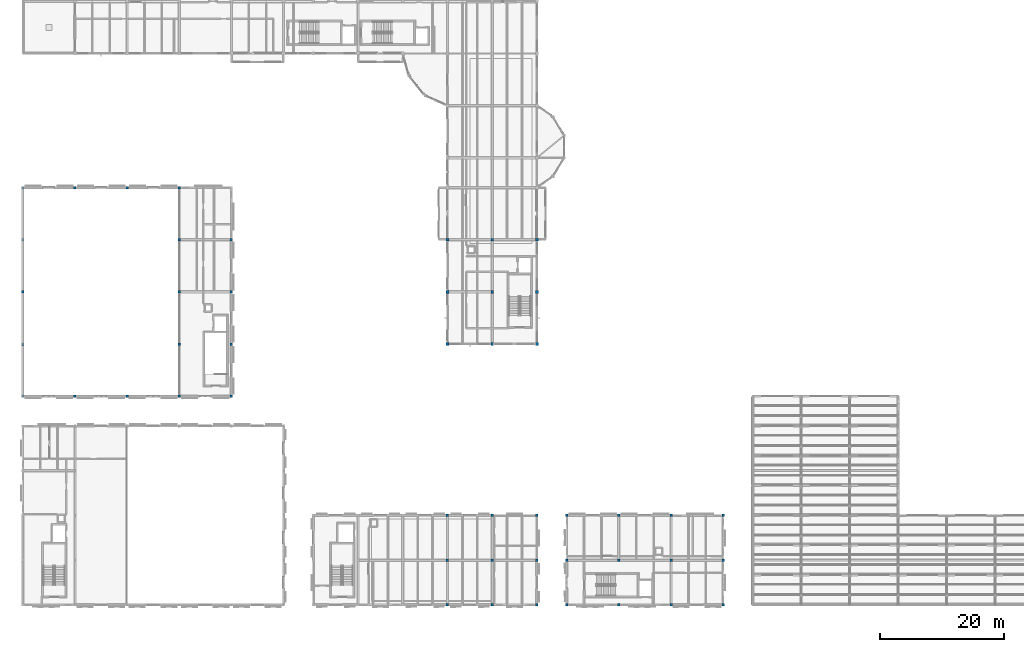
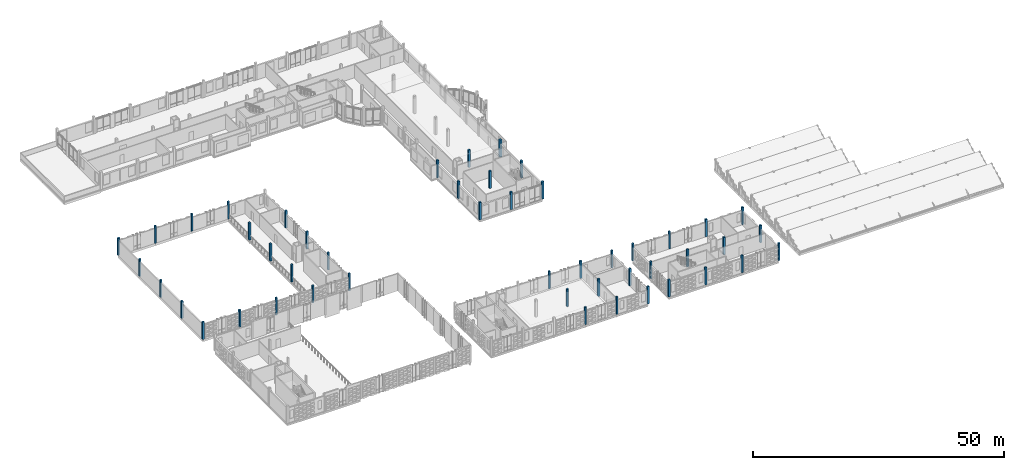
# One storey, part 3 of 81: 48 columns.
"""IFC4 building model written with IfcOpenShell, lengths in metres."""

import ifcopenshell
import ifcopenshell.guid

model = None  # the IFC model being written
_history = None  # IfcOwnerHistory: only IFC2X3 demands one
_inside = {}  # id of a spatial element -> (the spatial element, [elements in it])
_under = {}  # id of a project, library or spatial element -> (it, [spatial elements below it])
_declared = {}  # id of a project -> (the project, [libraries it declares])
_typed = {}  # id of a type object -> (the type object, [elements of that type])
_made_of = {}  # id of a material, layer set ... -> (it, [elements and type objects made of it])


def new_model(schema):
    """Start an empty IFC model of exactly this schema.

    Asked for "IFC4X3", IfcOpenShell would pick the latest addendum, in which some entities
    have other attributes; the version numbers below select the first issue.
    IFC2X3 requires an IfcOwnerHistory on every rooted entity: one is made here for all.
    """
    global model, _history
    if schema == "IFC4X3":
        model = ifcopenshell.file(schema_version=(4, 3, 0, 0))
    else:
        model = ifcopenshell.file(schema=schema)
    _inside.clear()
    _under.clear()
    _declared.clear()
    _typed.clear()
    _made_of.clear()
    _history = None
    if model.schema == "IFC2X3":
        org = make("IfcOrganization", Name="unknown")
        user = make(
            "IfcPersonAndOrganization",
            ThePerson=make("IfcPerson", FamilyName="unknown"),
            TheOrganization=org,
        )
        app = make(
            "IfcApplication",
            ApplicationDeveloper=org,
            Version="unknown",
            ApplicationFullName="unknown",
            ApplicationIdentifier="unknown",
        )
        _history = make(
            "IfcOwnerHistory",
            OwningUser=user,
            OwningApplication=app,
            ChangeAction="ADDED",
            CreationDate=0,
        )
    return model


def make(cls, **values):
    """One entity of the class cls with the attributes given. An attribute that is None is left unset."""
    return model.create_entity(
        cls, **{name: value for name, value in values.items() if value is not None}
    )


def rooted(cls, **values):
    """An entity with a GlobalId (a new one), such as an element, a storey or a relation."""
    return make(cls, GlobalId=ifcopenshell.guid.new(), OwnerHistory=_history, **values)


def si_unit(unit_type, name, prefix=None):
    """IfcSIUnit, for example si_unit("LENGTHUNIT", "METRE", prefix="MILLI")."""
    return make("IfcSIUnit", UnitType=unit_type, Prefix=prefix, Name=name)


def assignment(units):
    """IfcUnitAssignment: the units of a project."""
    return None if units is None else make("IfcUnitAssignment", Units=units)


def point(xyz):
    """IfcCartesianPoint."""
    return None if xyz is None else make("IfcCartesianPoint", Coordinates=xyz)


def direction(xyz):
    """IfcDirection."""
    return None if xyz is None else make("IfcDirection", DirectionRatios=xyz)


def frame(location, z_axis=None, x_axis=None):
    """IfcAxis2Placement3D, a coordinate frame: its origin and axes. An axis left out is left unset."""
    return make(
        "IfcAxis2Placement3D",
        Location=point(location),
        Axis=direction(z_axis),
        RefDirection=direction(x_axis),
    )


def frame_2d(location, x_axis=None):
    """IfcAxis2Placement2D, a coordinate frame in the plane: its origin and x axis."""
    return make(
        "IfcAxis2Placement2D", Location=point(location), RefDirection=direction(x_axis)
    )


def origin():
    """The frame at (0, 0, 0) with its axes left unset."""
    return frame((0.0, 0.0, 0.0))


def origin_2d():
    """The frame at (0, 0) in the plane with its x axis left unset."""
    return frame_2d((0.0, 0.0))


def place(relative_to, where):
    """IfcLocalPlacement: puts the frame where relative to a parent placement (None: the world)."""
    return make(
        "IfcLocalPlacement", PlacementRelTo=relative_to, RelativePlacement=where
    )


def context(
    kind, dimensions, precision=None, world=None, true_north=None, identifier=None
):
    """IfcGeometricRepresentationContext, for example the 3D "Model" context."""
    return make(
        "IfcGeometricRepresentationContext",
        ContextIdentifier=identifier,
        ContextType=kind,
        CoordinateSpaceDimension=dimensions,
        Precision=precision,
        WorldCoordinateSystem=world,
        TrueNorth=true_north,
    )


def subcontext(parent, identifier, kind, view, scale=None):
    """IfcGeometricRepresentationSubContext, for example "Body" below "Model"."""
    return make(
        "IfcGeometricRepresentationSubContext",
        ContextIdentifier=identifier,
        ContextType=kind,
        ParentContext=parent,
        TargetScale=scale,
        TargetView=view,
    )


def project(units=None, contexts=None):
    """IfcProject with its units and contexts."""
    return rooted(
        "IfcProject",
        Name="project",
        RepresentationContexts=contexts,
        UnitsInContext=assignment(units),
    )


def spatial(cls, under=None, at=None, **own):
    """A site, building, storey or space (cls), placed at a placement, below another one or the project."""
    s = rooted(cls, ObjectPlacement=at, **own)
    if under is not None:
        _under.setdefault(under.id(), (under, []))[1].append(s)
    return s


def profile(cls, at=None, kind="AREA", **sizes):
    """A parametric profile (cls). Its sizes go by their IFC names, for example OverallWidth=200.0."""
    return make(cls, ProfileType=kind, Position=at, **sizes)


def rectangle(**sizes):
    """IfcRectangleProfileDef."""
    return profile("IfcRectangleProfileDef", **sizes)


def extrude(swept, where, along, depth):
    """IfcExtrudedAreaSolid: the profile swept, set in the frame where, extruded along a direction by depth."""
    return make(
        "IfcExtrudedAreaSolid",
        SweptArea=swept,
        Position=where,
        ExtrudedDirection=direction(along),
        Depth=depth,
    )


def shape(context_of_items, identifier, shape_type, items):
    """IfcShapeRepresentation: the items that make up one representation, for example the "Body"."""
    return make(
        "IfcShapeRepresentation",
        ContextOfItems=context_of_items,
        RepresentationIdentifier=identifier,
        RepresentationType=shape_type,
        Items=items,
    )


def material(Name=None, Category=None):
    """IfcMaterial."""
    return make("IfcMaterial", Name=Name, Category=Category)


def material_profile(
    of_material, cross_section, Name=None, Category=None, Priority=None
):
    """IfcMaterialProfile: a cross section and its material."""
    return make(
        "IfcMaterialProfile",
        Name=Name,
        Material=of_material,
        Profile=cross_section,
        Priority=Priority,
        Category=Category,
    )


def profile_set(profiles, Name=None, composite=None):
    """IfcMaterialProfileSet."""
    return make(
        "IfcMaterialProfileSet",
        Name=Name,
        MaterialProfiles=profiles,
        CompositeProfile=composite,
    )


def made_of(thing, what):
    """Note that an element or type object is made of a material, layer set ...; save() writes the relation."""
    if what is not None:
        _made_of.setdefault(what.id(), (what, []))[1].append(thing)
    return thing


def type_object(cls, material=None, **own):
    """A type object (cls), such as IfcWallType, which elements share."""
    return made_of(rooted(cls, **own), material)


def element(
    cls,
    number,
    at=None,
    inside=None,
    cuts=None,
    type_object=None,
    material=None,
    context=None,
    identifier="Body",
    shape_type=None,
    held_by="IfcProductDefinitionShape",
    body=None,
    shapes=None,
    **own,
):
    """One element of the class cls, such as IfcWall. Its Tag is "e" and its number.

    at: its placement. inside: the storey or other place that contains it. cuts: it is an
    opening in that element (IfcRelVoidsElement). A single representation is given by context,
    identifier, shape_type and body (its items); several are given by shapes. held_by: the class
    of the entity that holds the representations. save() writes the other relations.
    """
    e = rooted(cls, Tag="e%d" % number, ObjectPlacement=at, **own)
    if body is not None:
        shapes = [shape(context, identifier, shape_type, body)]
    if shapes is not None:
        e.Representation = make(held_by, Representations=shapes)
    if inside is not None:
        _inside.setdefault(inside.id(), (inside, []))[1].append(e)
    if cuts is not None:
        rooted(
            "IfcRelVoidsElement", RelatingBuildingElement=cuts, RelatedOpeningElement=e
        )
    if type_object is not None:
        _typed.setdefault(type_object.id(), (type_object, []))[1].append(e)
    return made_of(e, material)


def aggregate(whole, parts):
    """IfcRelAggregates: a whole, such as a stair, and the parts it consists of."""
    return rooted("IfcRelAggregates", RelatingObject=whole, RelatedObjects=parts)


def save(model, path):
    """Write the relations noted so far, then the file.

    IfcRelAggregates (storeys below a building ...), IfcRelContainedInSpatialStructure (elements
    in a storey), IfcRelDefinesByType, IfcRelAssociatesMaterial and IfcRelDeclares: one each for
    every whole, place, type object, material and project.
    """
    for whole, parts in _under.values():
        aggregate(whole, parts)
    for where, things in _inside.values():
        rooted(
            "IfcRelContainedInSpatialStructure",
            RelatedElements=things,
            RelatingStructure=where,
        )
    for kind, things in _typed.values():
        rooted("IfcRelDefinesByType", RelatedObjects=things, RelatingType=kind)
    for what, things in _made_of.values():
        rooted("IfcRelAssociatesMaterial", RelatedObjects=things, RelatingMaterial=what)
    for by, libraries in _declared.values():
        rooted("IfcRelDeclares", RelatingContext=by, RelatedDefinitions=libraries)
    model.write(path)


model = new_model("IFC4")

# Units and contexts
model_context = context("Model", 3, precision=1e-05, world=origin(), true_north=direction((0.0, 1.0)))
body_context = subcontext(model_context, "Body", "Model", "MODEL_VIEW")
ifc_project = project(units=[si_unit("LENGTHUNIT", "METRE"), si_unit("AREAUNIT", "SQUARE_METRE"), si_unit("VOLUMEUNIT", "CUBIC_METRE"), si_unit("PLANEANGLEUNIT", "RADIAN"), si_unit("MASSUNIT", "GRAM", prefix="KILO")], contexts=[model_context])

# Site, building, storey
site_placement = place(None, origin())
site = spatial("IfcSite", under=ifc_project, at=site_placement, CompositionType="ELEMENT")
building_placement = place(site_placement, origin())
building = spatial("IfcBuilding", under=site, at=building_placement, Name="Kahlenmark Community Centre", CompositionType="ELEMENT")
storey_placement = place(building_placement, frame((0.0, 0.0, 9.60009765625)))
storey = spatial("IfcBuildingStorey", under=building, at=storey_placement, Name="L02", CompositionType="ELEMENT", Elevation=9.60009765625)

# Columns
ifc_material = material(Name="Glulam GL32h", Category="wood")
ifc_material_profile_1 = material_profile(ifc_material, rectangle(XDim=0.39990234375, YDim=0.39990234375, at=origin_2d()), Name="GL32h 400x400")
ifc_profile_set_1 = profile_set([ifc_material_profile_1], Name="Glulam GL32h")
column_type_1 = type_object("IfcColumnType", Name="CT-GL400", PredefinedType="COLUMN", material=ifc_profile_set_1)
for number, where, z_axis, x_axis, name in (
    (1, (4.0, 42.39990234375, 0.0), (0.0, 0.0, 1.0), (1.0, 0.0, 0.0), "L02 column (4.0, 42.4)"),
    (2, (4.0, 50.800048828125, 0.0), (0.0, 0.0, 1.0), (1.0, 0.0, 0.0), "L02 column (4.0, 50.8)"),
    (3, (4.0, 59.199951171875, 0.0), (0.0, 0.0, 1.0), (1.0, 0.0, 0.0), "L02 column (4.0, 59.2)"),
    (4, (4.0, 67.60009765625, 0.0), (0.0, 0.0, 1.0), (1.0, 0.0, 0.0), "L02 column (4.0, 67.6)"),
    (5, (4.0, 76.0, 0.0), (0.0, 0.0, 1.0), (1.0, 0.0, 0.0), "L02 column (4.0, 76.0)"),
    (6, (12.39990234375, 42.39990234375, 0.0), (0.0, 0.0, 1.0), (1.0, 0.0, 0.0), "L02 column (12.4, 42.4)"),
    (7, (12.39990234375, 76.0, 0.0), (0.0, 0.0, 1.0), (1.0, 0.0, 0.0), "L02 column (12.4, 76.0)"),
    (8, (20.800048828125, 42.39990234375, 0.0), (0.0, 0.0, 1.0), (1.0, 0.0, 0.0), "L02 column (20.8, 42.4)"),
    (9, (20.800048828125, 76.0, 0.0), (0.0, 0.0, 1.0), (1.0, 0.0, 0.0), "L02 column (20.8, 76.0)"),
    (10, (29.199951171875, 42.39990234375, 0.0), (0.0, 0.0, 1.0), (1.0, 0.0, 0.0), "L02 column (29.2, 42.4)"),
    (11, (29.199951171875, 50.800048828125, 0.0), (0.0, 0.0, 1.0), (1.0, 0.0, 0.0), "L02 column (29.2, 50.8)"),
    (12, (29.199951171875, 59.199951171875, 0.0), (0.0, 0.0, 1.0), (1.0, 0.0, 0.0), "L02 column (29.2, 59.2)"),
    (13, (29.199951171875, 67.60009765625, 0.0), (0.0, 0.0, 1.0), (1.0, 0.0, 0.0), "L02 column (29.2, 67.6)"),
    (14, (29.199951171875, 76.0, 0.0), (0.0, 0.0, 1.0), (1.0, 0.0, 0.0), "L02 column (29.2, 76.0)"),
    (15, (37.60009765625, 42.39990234375, 0.0), (0.0, 0.0, 1.0), (1.0, 0.0, 0.0), "L02 column (37.6, 42.4)"),
    (16, (37.60009765625, 50.800048828125, 0.0), (0.0, 0.0, 1.0), (1.0, 0.0, 0.0), "L02 column (37.6, 50.8)"),
    (17, (37.60009765625, 59.199951171875, 0.0), (0.0, 0.0, 1.0), (1.0, 0.0, 0.0), "L02 column (37.6, 59.2)"),
    (18, (37.60009765625, 67.60009765625, 0.0), (0.0, 0.0, 1.0), (1.0, 0.0, 0.0), "L02 column (37.6, 67.6)"),
    (19, (72.39990234375, 8.800048828125, 0.0), (0.0, 0.0, 1.0), (1.0, 0.0, 0.0), "L02 column (72.4, 8.8)"),
    (20, (72.39990234375, 16.0, 0.0), (0.0, 0.0, 1.0), (1.0, 0.0, 0.0), "L02 column (72.4, 16.0)"),
    (21, (72.39990234375, 23.199951171875, 0.0), (0.0, 0.0, 1.0), (1.0, 0.0, 0.0), "L02 column (72.4, 23.2)"),
    (22, (79.60009765625, 8.800048828125, 0.0), (0.0, 0.0, 1.0), (1.0, 0.0, 0.0), "L02 column (79.6, 8.8)"),
    (23, (79.60009765625, 16.0, 0.0), (0.0, 0.0, 1.0), (1.0, 0.0, 0.0), "L02 column (79.6, 16.0)"),
    (24, (79.60009765625, 23.199951171875, 0.0), (0.0, 0.0, 1.0), (1.0, 0.0, 0.0), "L02 column (79.6, 23.2)"),
    (25, (86.800048828125, 8.800048828125, 0.0), (0.0, 0.0, 1.0), (1.0, 0.0, 0.0), "L02 column (86.8, 8.8)"),
    (26, (86.800048828125, 16.0, 0.0), (0.0, 0.0, 1.0), (1.0, 0.0, 0.0), "L02 column (86.8, 16.0)"),
    (27, (86.800048828125, 23.199951171875, 0.0), (0.0, 0.0, 1.0), (1.0, 0.0, 0.0), "L02 column (86.8, 23.2)"),
    (28, (91.60009765625, 8.800048828125, 0.0), (0.0, 0.0, 1.0), (1.0, 0.0, 0.0), "L02 column (91.6, 8.8)"),
    (29, (91.60009765625, 16.0, 0.0), (0.0, 0.0, 1.0), (1.0, 0.0, 0.0), "L02 column (91.6, 16.0)"),
    (30, (91.60009765625, 23.199951171875, 0.0), (0.0, 0.0, 1.0), (1.0, 0.0, 0.0), "L02 column (91.6, 23.2)"),
    (31, (100.0, 8.800048828125, 0.0), (0.0, 0.0, 1.0), (1.0, 0.0, 0.0), "L02 column (100.0, 8.8)"),
    (32, (100.0, 16.0, 0.0), (0.0, 0.0, 1.0), (1.0, 0.0, 0.0), "L02 column (100.0, 16.0)"),
    (33, (100.0, 23.199951171875, 0.0), (0.0, 0.0, 1.0), (1.0, 0.0, 0.0), "L02 column (100.0, 23.2)"),
    (34, (108.39990234375, 8.800048828125, 0.0), (0.0, 0.0, 1.0), (1.0, 0.0, 0.0), "L02 column (108.4, 8.8)"),
    (35, (108.39990234375, 16.0, 0.0), (0.0, 0.0, 1.0), (1.0, 0.0, 0.0), "L02 column (108.4, 16.0)"),
    (36, (108.39990234375, 23.199951171875, 0.0), (0.0, 0.0, 1.0), (1.0, 0.0, 0.0), "L02 column (108.4, 23.2)"),
    (37, (116.800048828125, 8.800048828125, 0.0), (0.0, 0.0, 1.0), (1.0, 0.0, 0.0), "L02 column (116.8, 8.8)"),
    (38, (116.800048828125, 16.0, 0.0), (0.0, 0.0, 1.0), (1.0, 0.0, 0.0), "L02 column (116.8, 16.0)"),
    (39, (116.800048828125, 23.199951171875, 0.0), (0.0, 0.0, 1.0), (1.0, 0.0, 0.0), "L02 column (116.8, 23.2)"),
):
    element("IfcColumn", number, at=place(storey_placement, frame(where, z_axis=z_axis, x_axis=x_axis)), inside=storey, type_object=column_type_1, Name=name, PredefinedType="COLUMN", context=body_context, shape_type="SweptSolid", body=[
        extrude(rectangle(XDim=0.39990234375, YDim=0.39990234375, at=origin_2d()), origin(), (0.0, 0.0, 1.0), 4.199951171875),
    ])
ifc_material_profile_2 = material_profile(ifc_material, rectangle(XDim=0.43994140625, YDim=0.43994140625, at=origin_2d()), Name="GL32h 440x440")
ifc_profile_set_2 = profile_set([ifc_material_profile_2], Name="Glulam GL32h")
column_type_2 = type_object("IfcColumnType", Name="CT-GL440", PredefinedType="COLUMN", material=ifc_profile_set_2)
for number, where, z_axis, x_axis, name in (
    (40, (72.39990234375, 50.800048828125, 0.0), (0.0, 0.0, 1.0), (1.0, 0.0, 0.0), "L02 column (72.4, 50.8)"),
    (41, (72.39990234375, 59.199951171875, 0.0), (0.0, 0.0, 1.0), (1.0, 0.0, 0.0), "L02 column (72.4, 59.2)"),
    (42, (72.39990234375, 67.60009765625, 0.0), (0.0, 0.0, 1.0), (1.0, 0.0, 0.0), "L02 column (72.4, 67.6)"),
    (43, (79.60009765625, 50.800048828125, 0.0), (0.0, 0.0, 1.0), (1.0, 0.0, 0.0), "L02 column (79.6, 50.8)"),
    (44, (79.60009765625, 59.199951171875, 0.0), (0.0, 0.0, 1.0), (1.0, 0.0, 0.0), "L02 column (79.6, 59.2)"),
    (45, (79.60009765625, 67.60009765625, 0.0), (0.0, 0.0, 1.0), (1.0, 0.0, 0.0), "L02 column (79.6, 67.6)"),
    (46, (86.800048828125, 50.800048828125, 0.0), (0.0, 0.0, 1.0), (1.0, 0.0, 0.0), "L02 column (86.8, 50.8)"),
    (47, (86.800048828125, 59.199951171875, 0.0), (0.0, 0.0, 1.0), (1.0, 0.0, 0.0), "L02 column (86.8, 59.2)"),
    (48, (86.800048828125, 67.60009765625, 0.0), (0.0, 0.0, 1.0), (1.0, 0.0, 0.0), "L02 column (86.8, 67.6)"),
):
    element("IfcColumn", number, at=place(storey_placement, frame(where, z_axis=z_axis, x_axis=x_axis)), inside=storey, type_object=column_type_2, Name=name, PredefinedType="COLUMN", context=body_context, shape_type="SweptSolid", body=[
        extrude(rectangle(XDim=0.43994140625, YDim=0.43994140625, at=origin_2d()), origin(), (0.0, 0.0, 1.0), 4.199951171875),
    ])

save(model, "model.ifc")
